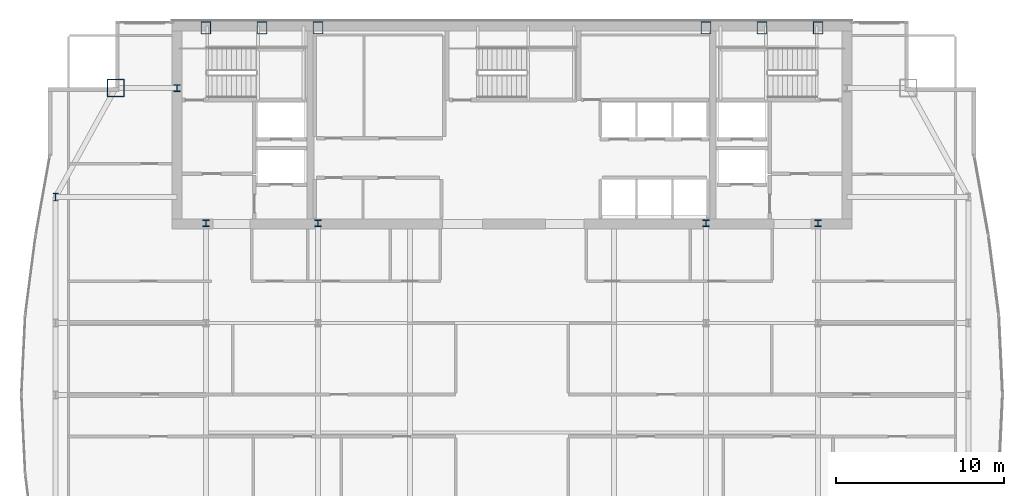
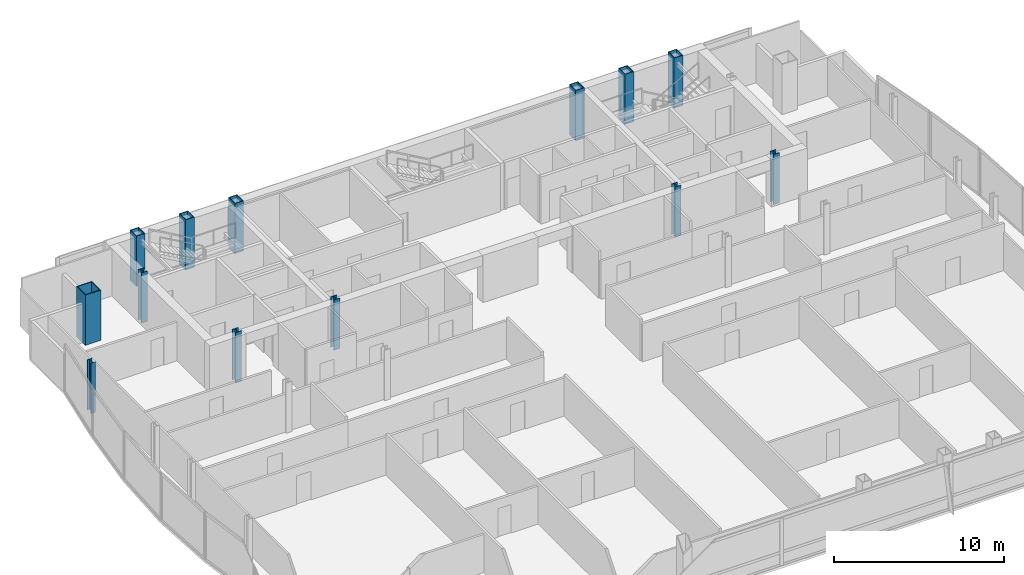
# One storey, part 3 of 30: 13 columns.
"""IFC4 building model written with IfcOpenShell, lengths in metres."""

from ifc_helpers import new_model, si_unit, direction, frame, origin, origin_2d, place, context, subcontext, project, spatial, hollow_rectangle, i_section, extrude, material, material_profile, profile_set, type_object, element, save


model = new_model("IFC4")

# Units and contexts
model_context = context("Model", 3, precision=1e-05, world=origin(), true_north=direction((0.0, 1.0)))
body_context = subcontext(model_context, "Body", "Model", "MODEL_VIEW")
ifc_project = project(units=[si_unit("LENGTHUNIT", "METRE"), si_unit("AREAUNIT", "SQUARE_METRE"), si_unit("VOLUMEUNIT", "CUBIC_METRE"), si_unit("PLANEANGLEUNIT", "RADIAN"), si_unit("MASSUNIT", "GRAM", prefix="KILO")], contexts=[model_context])

# Site, building, storey
site_placement = place(None, origin())
site = spatial("IfcSite", under=ifc_project, at=site_placement, CompositionType="ELEMENT")
building_placement = place(site_placement, origin())
building = spatial("IfcBuilding", under=site, at=building_placement, Name="Khoronbel Lancet Exchange", CompositionType="ELEMENT")
storey_placement = place(building_placement, frame((0.0, 0.0, 253.39990234375)))
storey = spatial("IfcBuildingStorey", under=building, at=storey_placement, Name="L65", CompositionType="ELEMENT", Elevation=253.39990234375)

# Columns
ifc_material_1 = material(Name="Steel S460", Category="steel")
ifc_material_profile_1 = material_profile(ifc_material_1, hollow_rectangle(XDim=0.60009765625, YDim=0.75, WallThickness=0.044921875, at=origin_2d()), Name="BOX 750x600x45")
ifc_profile_set_1 = profile_set([ifc_material_profile_1], Name="Steel S460")
column_type_1 = type_object("IfcColumnType", Name="COL-EC3", PredefinedType="COLUMN", material=ifc_profile_set_1)
for number, where, z_axis, x_axis, name in (
    (1, (18.22509765625, 53.280029296875, 0.0), (0.0, 0.0, 1.0), (1.0, 0.0, 0.0), "Structural column NC-W1 L65"),
    (2, (21.5625, 53.280029296875, 0.0), (0.0, 0.0, 1.0), (1.0, 0.0, 0.0), "Structural column NC-WM L65"),
    (3, (24.89990234375, 53.280029296875, 0.0), (0.0, 0.0, 1.0), (1.0, 0.0, 0.0), "Structural column NC-W2 L65"),
    (4, (48.0, 53.280029296875, 0.0), (0.0, 0.0, 1.0), (1.0, 0.0, 0.0), "Structural column NC-E1 L65"),
    (5, (51.33740234375, 53.280029296875, 0.0), (0.0, 0.0, 1.0), (1.0, 0.0, 0.0), "Structural column NC-EM L65"),
    (6, (54.675048828125, 53.280029296875, 0.0), (0.0, 0.0, 1.0), (1.0, 0.0, 0.0), "Structural column NC-E2 L65"),
):
    element("IfcColumn", number, at=place(storey_placement, frame(where, z_axis=z_axis, x_axis=x_axis)), inside=storey, type_object=column_type_1, Name=name, PredefinedType="COLUMN", context=body_context, shape_type="SweptSolid", body=[
        extrude(hollow_rectangle(XDim=0.60009765625, YDim=0.75, WallThickness=0.044921875, at=origin_2d()), origin(), (0.0, 0.0, 1.0), 3.60009765625),
    ])
ifc_material_2 = material(Name="Steel S355", Category="steel")
ifc_material_profile_2 = material_profile(ifc_material_2, i_section(OverallWidth=0.406005859375, OverallDepth=0.416015625, WebThickness=0.02978515625, FlangeThickness=0.048095703125, at=origin_2d()), Name="HD 400x382")
ifc_profile_set_2 = profile_set([ifc_material_profile_2], Name="Steel S355")
column_type_2 = type_object("IfcColumnType", Name="COL-IC3", PredefinedType="COLUMN", material=ifc_profile_set_2)
for number, where, z_axis, x_axis, name in (
    (7, (16.5, 49.699951171875, 0.0), (0.0, 0.0, 1.0), (1.0, 0.0, 0.0), "Core-flank plumb transfer column CFW L65"),
    (8, (18.22509765625, 41.64990234375, 0.0), (0.0, 0.0, 1.0), (1.0, 0.0, 0.0), "Core-embedded steel column CTC1 L65"),
    (9, (24.89990234375, 41.64990234375, 0.0), (0.0, 0.0, 1.0), (1.0, 0.0, 0.0), "Core-embedded steel column CTC2 L65"),
    (10, (48.0, 41.64990234375, 0.0), (0.0, 0.0, 1.0), (1.0, 0.0, 0.0), "Core-embedded steel column CTC3 L65"),
    (11, (54.675048828125, 41.64990234375, 0.0), (0.0, 0.0, 1.0), (1.0, 0.0, 0.0), "Core-embedded steel column CTC4 L65"),
):
    element("IfcColumn", number, at=place(storey_placement, frame(where, z_axis=z_axis, x_axis=x_axis)), inside=storey, type_object=column_type_2, Name=name, PredefinedType="COLUMN", context=body_context, shape_type="SweptSolid", body=[
        extrude(i_section(OverallWidth=0.406005859375, OverallDepth=0.416015625, WebThickness=0.02978515625, FlangeThickness=0.048095703125, at=origin_2d()), origin(), (0.0, 0.0, 1.0), 3.60009765625),
    ])
ifc_material_profile_3 = material_profile(ifc_material_2, i_section(OverallWidth=0.300048828125, OverallDepth=0.449951171875, WebThickness=0.013916015625, FlangeThickness=0.02587890625, at=origin_2d()), Name="HEB 450")
ifc_profile_set_3 = profile_set([ifc_material_profile_3], Name="Steel S355")
column_type_3 = type_object("IfcColumnType", Name="COL-LC2", PredefinedType="COLUMN", material=ifc_profile_set_3)
column_1_placement = place(storey_placement, frame((9.27001953125, 43.199951171875, 0.0), z_axis=(0.0, 0.0, 1.0), x_axis=(1.0, 0.0, 0.0)))
element("IfcColumn", 12, at=column_1_placement, inside=storey, type_object=column_type_3, Name="Structural column WC-4 L65", PredefinedType="COLUMN", context=body_context, shape_type="SweptSolid", body=[
    extrude(i_section(OverallWidth=0.300048828125, OverallDepth=0.449951171875, WebThickness=0.013916015625, FlangeThickness=0.02587890625, at=origin_2d()), origin(), (0.0, 0.0, 1.0), 3.60009765625),
])
ifc_material_profile_4 = material_profile(ifc_material_1, hollow_rectangle(XDim=1.050048828125, YDim=1.050048828125, WallThickness=0.054931640625, at=origin_2d()), Name="BOX 1050x1050x55")
ifc_profile_set_4 = profile_set([ifc_material_profile_4], Name="Steel S460")
column_type_4 = type_object("IfcColumnType", Name="COL-MC6", PredefinedType="COLUMN", material=ifc_profile_set_4)
column_2_placement = place(storey_placement, frame((12.85009765625, 49.699951171875, 0.0), z_axis=(0.0, 0.0, 1.0), x_axis=(1.0, 0.0, 0.0)))
element("IfcColumn", 13, at=column_2_placement, inside=storey, type_object=column_type_4, Name="Structural column MC-NW L65", PredefinedType="COLUMN", context=body_context, shape_type="SweptSolid", body=[
    extrude(hollow_rectangle(XDim=1.050048828125, YDim=1.050048828125, WallThickness=0.054931640625, at=origin_2d()), origin(), (0.0, 0.0, 1.0), 3.60009765625),
])

save(model, "model.ifc")
